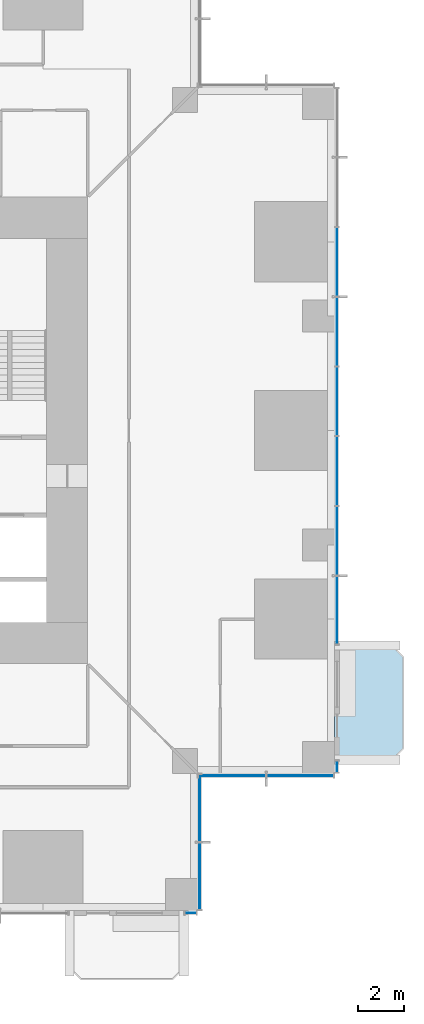
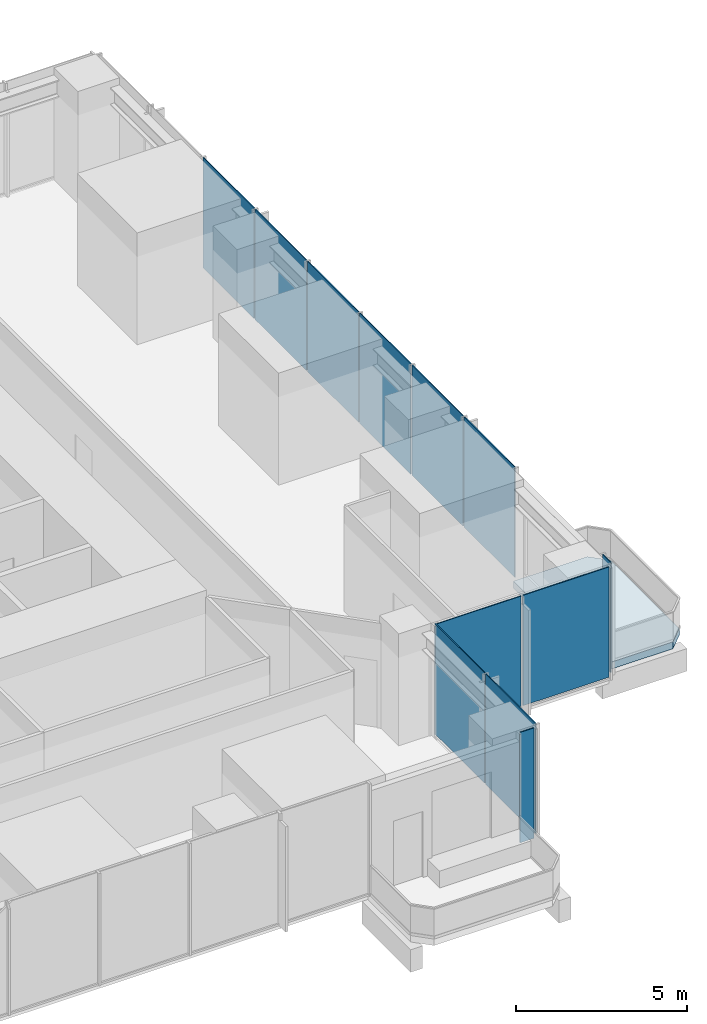
# One storey, part 8 of 15: 12 plates, 1 slab, 5 elements without a shape of their own.
"""IFC4 building model written with IfcOpenShell, lengths in metres."""

import ifcopenshell
import ifcopenshell.guid

model = None  # the IFC model being written
_history = None  # IfcOwnerHistory: only IFC2X3 demands one
_inside = {}  # id of a spatial element -> (the spatial element, [elements in it])
_under = {}  # id of a project, library or spatial element -> (it, [spatial elements below it])
_declared = {}  # id of a project -> (the project, [libraries it declares])
_typed = {}  # id of a type object -> (the type object, [elements of that type])
_made_of = {}  # id of a material, layer set ... -> (it, [elements and type objects made of it])


def new_model(schema):
    """Start an empty IFC model of exactly this schema.

    Asked for "IFC4X3", IfcOpenShell would pick the latest addendum, in which some entities
    have other attributes; the version numbers below select the first issue.
    IFC2X3 requires an IfcOwnerHistory on every rooted entity: one is made here for all.
    """
    global model, _history
    if schema == "IFC4X3":
        model = ifcopenshell.file(schema_version=(4, 3, 0, 0))
    else:
        model = ifcopenshell.file(schema=schema)
    _inside.clear()
    _under.clear()
    _declared.clear()
    _typed.clear()
    _made_of.clear()
    _history = None
    if model.schema == "IFC2X3":
        org = make("IfcOrganization", Name="unknown")
        user = make(
            "IfcPersonAndOrganization",
            ThePerson=make("IfcPerson", FamilyName="unknown"),
            TheOrganization=org,
        )
        app = make(
            "IfcApplication",
            ApplicationDeveloper=org,
            Version="unknown",
            ApplicationFullName="unknown",
            ApplicationIdentifier="unknown",
        )
        _history = make(
            "IfcOwnerHistory",
            OwningUser=user,
            OwningApplication=app,
            ChangeAction="ADDED",
            CreationDate=0,
        )
    return model


def make(cls, **values):
    """One entity of the class cls with the attributes given. An attribute that is None is left unset."""
    return model.create_entity(
        cls, **{name: value for name, value in values.items() if value is not None}
    )


def rooted(cls, **values):
    """An entity with a GlobalId (a new one), such as an element, a storey or a relation."""
    return make(cls, GlobalId=ifcopenshell.guid.new(), OwnerHistory=_history, **values)


def si_unit(unit_type, name, prefix=None):
    """IfcSIUnit, for example si_unit("LENGTHUNIT", "METRE", prefix="MILLI")."""
    return make("IfcSIUnit", UnitType=unit_type, Prefix=prefix, Name=name)


def assignment(units):
    """IfcUnitAssignment: the units of a project."""
    return None if units is None else make("IfcUnitAssignment", Units=units)


def point(xyz):
    """IfcCartesianPoint."""
    return None if xyz is None else make("IfcCartesianPoint", Coordinates=xyz)


def direction(xyz):
    """IfcDirection."""
    return None if xyz is None else make("IfcDirection", DirectionRatios=xyz)


def frame(location, z_axis=None, x_axis=None):
    """IfcAxis2Placement3D, a coordinate frame: its origin and axes. An axis left out is left unset."""
    return make(
        "IfcAxis2Placement3D",
        Location=point(location),
        Axis=direction(z_axis),
        RefDirection=direction(x_axis),
    )


def frame_2d(location, x_axis=None):
    """IfcAxis2Placement2D, a coordinate frame in the plane: its origin and x axis."""
    return make(
        "IfcAxis2Placement2D", Location=point(location), RefDirection=direction(x_axis)
    )


def origin():
    """The frame at (0, 0, 0) with its axes left unset."""
    return frame((0.0, 0.0, 0.0))


def origin_2d():
    """The frame at (0, 0) in the plane with its x axis left unset."""
    return frame_2d((0.0, 0.0))


def place(relative_to, where):
    """IfcLocalPlacement: puts the frame where relative to a parent placement (None: the world)."""
    return make(
        "IfcLocalPlacement", PlacementRelTo=relative_to, RelativePlacement=where
    )


def context(
    kind, dimensions, precision=None, world=None, true_north=None, identifier=None
):
    """IfcGeometricRepresentationContext, for example the 3D "Model" context."""
    return make(
        "IfcGeometricRepresentationContext",
        ContextIdentifier=identifier,
        ContextType=kind,
        CoordinateSpaceDimension=dimensions,
        Precision=precision,
        WorldCoordinateSystem=world,
        TrueNorth=true_north,
    )


def subcontext(parent, identifier, kind, view, scale=None):
    """IfcGeometricRepresentationSubContext, for example "Body" below "Model"."""
    return make(
        "IfcGeometricRepresentationSubContext",
        ContextIdentifier=identifier,
        ContextType=kind,
        ParentContext=parent,
        TargetScale=scale,
        TargetView=view,
    )


def project(units=None, contexts=None):
    """IfcProject with its units and contexts."""
    return rooted(
        "IfcProject",
        Name="project",
        RepresentationContexts=contexts,
        UnitsInContext=assignment(units),
    )


def spatial(cls, under=None, at=None, **own):
    """A site, building, storey or space (cls), placed at a placement, below another one or the project."""
    s = rooted(cls, ObjectPlacement=at, **own)
    if under is not None:
        _under.setdefault(under.id(), (under, []))[1].append(s)
    return s


def polyline(points):
    """IfcPolyline through the points."""
    return make("IfcPolyline", Points=[point(p) for p in points])


def profile(cls, at=None, kind="AREA", **sizes):
    """A parametric profile (cls). Its sizes go by their IFC names, for example OverallWidth=200.0."""
    return make(cls, ProfileType=kind, Position=at, **sizes)


def rectangle(**sizes):
    """IfcRectangleProfileDef."""
    return profile("IfcRectangleProfileDef", **sizes)


def outline(outer, holes=None, kind="AREA"):
    """IfcArbitraryClosedProfileDef: a profile drawn as a closed curve; with holes, ...WithVoids."""
    if holes is None:
        return make("IfcArbitraryClosedProfileDef", ProfileType=kind, OuterCurve=outer)
    return make(
        "IfcArbitraryProfileDefWithVoids",
        ProfileType=kind,
        OuterCurve=outer,
        InnerCurves=holes,
    )


def extrude(swept, where, along, depth):
    """IfcExtrudedAreaSolid: the profile swept, set in the frame where, extruded along a direction by depth."""
    return make(
        "IfcExtrudedAreaSolid",
        SweptArea=swept,
        Position=where,
        ExtrudedDirection=direction(along),
        Depth=depth,
    )


def shape(context_of_items, identifier, shape_type, items):
    """IfcShapeRepresentation: the items that make up one representation, for example the "Body"."""
    return make(
        "IfcShapeRepresentation",
        ContextOfItems=context_of_items,
        RepresentationIdentifier=identifier,
        RepresentationType=shape_type,
        Items=items,
    )


def material(Name=None, Category=None):
    """IfcMaterial."""
    return make("IfcMaterial", Name=Name, Category=Category)


def layer(
    of_material, thickness, ventilated=None, Name=None, Category=None, Priority=None
):
    """IfcMaterialLayer: one layer of a wall or slab, of a material (None: an air gap)."""
    return make(
        "IfcMaterialLayer",
        Material=of_material,
        LayerThickness=thickness,
        IsVentilated=ventilated,
        Name=Name,
        Category=Category,
        Priority=Priority,
    )


def layer_set(layers, Name=None):
    """IfcMaterialLayerSet."""
    return make("IfcMaterialLayerSet", MaterialLayers=layers, LayerSetName=Name)


def made_of(thing, what):
    """Note that an element or type object is made of a material, layer set ...; save() writes the relation."""
    if what is not None:
        _made_of.setdefault(what.id(), (what, []))[1].append(thing)
    return thing


def type_object(cls, material=None, **own):
    """A type object (cls), such as IfcWallType, which elements share."""
    return made_of(rooted(cls, **own), material)


def element(
    cls,
    number,
    at=None,
    inside=None,
    cuts=None,
    type_object=None,
    material=None,
    context=None,
    identifier="Body",
    shape_type=None,
    held_by="IfcProductDefinitionShape",
    body=None,
    shapes=None,
    **own,
):
    """One element of the class cls, such as IfcWall. Its Tag is "e" and its number.

    at: its placement. inside: the storey or other place that contains it. cuts: it is an
    opening in that element (IfcRelVoidsElement). A single representation is given by context,
    identifier, shape_type and body (its items); several are given by shapes. held_by: the class
    of the entity that holds the representations. save() writes the other relations.
    """
    e = rooted(cls, Tag="e%d" % number, ObjectPlacement=at, **own)
    if body is not None:
        shapes = [shape(context, identifier, shape_type, body)]
    if shapes is not None:
        e.Representation = make(held_by, Representations=shapes)
    if inside is not None:
        _inside.setdefault(inside.id(), (inside, []))[1].append(e)
    if cuts is not None:
        rooted(
            "IfcRelVoidsElement", RelatingBuildingElement=cuts, RelatedOpeningElement=e
        )
    if type_object is not None:
        _typed.setdefault(type_object.id(), (type_object, []))[1].append(e)
    return made_of(e, material)


def aggregate(whole, parts):
    """IfcRelAggregates: a whole, such as a stair, and the parts it consists of."""
    return rooted("IfcRelAggregates", RelatingObject=whole, RelatedObjects=parts)


def save(model, path):
    """Write the relations noted so far, then the file.

    IfcRelAggregates (storeys below a building ...), IfcRelContainedInSpatialStructure (elements
    in a storey), IfcRelDefinesByType, IfcRelAssociatesMaterial and IfcRelDeclares: one each for
    every whole, place, type object, material and project.
    """
    for whole, parts in _under.values():
        aggregate(whole, parts)
    for where, things in _inside.values():
        rooted(
            "IfcRelContainedInSpatialStructure",
            RelatedElements=things,
            RelatingStructure=where,
        )
    for kind, things in _typed.values():
        rooted("IfcRelDefinesByType", RelatedObjects=things, RelatingType=kind)
    for what, things in _made_of.values():
        rooted("IfcRelAssociatesMaterial", RelatedObjects=things, RelatingMaterial=what)
    for by, libraries in _declared.values():
        rooted("IfcRelDeclares", RelatingContext=by, RelatedDefinitions=libraries)
    model.write(path)


model = new_model("IFC4")

# Units and contexts
model_context = context("Model", 3, precision=1e-05, world=origin(), true_north=direction((0.0, 1.0)))
body_context = subcontext(model_context, "Body", "Model", "MODEL_VIEW")
ifc_project = project(units=[si_unit("LENGTHUNIT", "METRE"), si_unit("AREAUNIT", "SQUARE_METRE"), si_unit("VOLUMEUNIT", "CUBIC_METRE"), si_unit("PLANEANGLEUNIT", "RADIAN"), si_unit("MASSUNIT", "GRAM", prefix="KILO")], contexts=[model_context])

# Site, building, storey
site_placement = place(None, origin())
site = spatial("IfcSite", under=ifc_project, at=site_placement, CompositionType="ELEMENT")
building_placement = place(site_placement, origin())
building = spatial("IfcBuilding", under=site, at=building_placement, Name="Svetlomir Tower", CompositionType="ELEMENT")
storey_placement = place(building_placement, frame((0.0, 0.0, 34.5)))
storey = spatial("IfcBuildingStorey", under=building, at=storey_placement, Name="L07", CompositionType="ELEMENT", Elevation=34.5)

# Slab
ifc_material_1 = material(Name="Concrete C60/75", Category="concrete")
ifc_layer_1 = layer(ifc_material_1, 0.25)
ifc_layer_set_1 = layer_set([ifc_layer_1], Name="Concrete C60/75")
slab_type = type_object("IfcSlabType", Name="BALCONY SLAB 250", PredefinedType="FLOOR", material=ifc_layer_set_1)
slab_placement = place(storey_placement, frame((0.0, 0.0, -0.25)))
element("IfcSlab", 1, at=slab_placement, inside=storey, type_object=slab_type, Name="L07 E planted balcony", PredefinedType="FLOOR", context=body_context, shape_type="SweptSolid", body=[
    extrude(outline(polyline([(42.0, 6.60009765625), (44.5, 6.60009765625), (45.0, 7.10009765625), (45.0, 11.10009765625), (44.5, 11.60009765625), (42.0, 11.60009765625), (42.0, 6.60009765625)])), origin(), (0.0, 0.0, 1.0), 0.25),
])

# Curtain wall, plate
ifc_material_2 = material(Name="Bronze anodised aluminium curtain wall", Category="aluminium")
curtain_wall_type = type_object("IfcCurtainWallType", Name="CURTAIN WALL CW1 TOWER OFFICE", PredefinedType="NOTDEFINED", material=ifc_material_2)
curtain_wall_1_placement = place(storey_placement, origin())
curtain_wall_1 = element("IfcCurtainWall", 2, at=curtain_wall_1_placement, inside=storey, type_object=curtain_wall_type, Name="Curtain wall CW1 L07", PredefinedType="NOTDEFINED")
ifc_material_3 = material(Name="Tinted double glazed unit", Category="glass")
ifc_layer_2 = layer(ifc_material_3, 0.031982421875)
ifc_layer_set_2 = layer_set([ifc_layer_2], Name="Tinted double glazed unit")
plate_type = type_object("IfcPlateType", Name="CW1 GLAZED PANEL 32", PredefinedType="CURTAIN_PANEL", material=ifc_layer_set_2)
plate_1_placement = place(storey_placement, frame((35.699951171875, -0.10009765625, 0.06494140625), z_axis=(0.0, 0.0, 1.0), x_axis=(1.0, 0.0, 0.0)))
plate_1 = element("IfcPlate", 3, at=plate_1_placement, type_object=plate_type, Name="CW1 panel 1.1", PredefinedType="CURTAIN_PANEL", context=body_context, shape_type="SweptSolid", body=[
    extrude(rectangle(XDim=0.469970703125, YDim=0.031982421875, at=origin_2d()), origin(), (0.0, 0.0, 1.0), 3.93505859375),
])
aggregate(curtain_wall_1, [plate_1])

# Curtain wall, plates
curtain_wall_2_placement = place(storey_placement, origin())
curtain_wall_2 = element("IfcCurtainWall", 4, at=curtain_wall_2_placement, inside=storey, type_object=curtain_wall_type, Name="Curtain wall CW1 L07", PredefinedType="NOTDEFINED")
plate_2_placement = place(storey_placement, frame((36.10009765625, 1.516357421875, 0.06494140625), z_axis=(0.0, 0.0, 1.0), x_axis=(0.0, 1.0, 0.0)))
plate_2 = element("IfcPlate", 5, at=plate_2_placement, type_object=plate_type, Name="CW1 panel 1.1", PredefinedType="CURTAIN_PANEL", context=body_context, shape_type="SweptSolid", body=[
    extrude(rectangle(XDim=2.902587890625, YDim=0.031982421875, at=origin_2d()), origin(), (0.0, 0.0, 1.0), 3.93505859375),
])
plate_3_placement = place(storey_placement, frame((36.10009765625, 4.483642578125, 0.06494140625), z_axis=(0.0, 0.0, 1.0), x_axis=(0.0, 1.0, 0.0)))
plate_3 = element("IfcPlate", 6, at=plate_3_placement, type_object=plate_type, Name="CW1 panel 2.1", PredefinedType="CURTAIN_PANEL", context=body_context, shape_type="SweptSolid", body=[
    extrude(rectangle(XDim=2.902587890625, YDim=0.031982421875, at=origin_2d()), origin(), (0.0, 0.0, 1.0), 3.93505859375),
])
aggregate(curtain_wall_2, [plate_2, plate_3])

curtain_wall_3_placement = place(storey_placement, origin())
curtain_wall_3 = element("IfcCurtainWall", 7, at=curtain_wall_3_placement, inside=storey, type_object=curtain_wall_type, Name="Curtain wall CW1 L07", PredefinedType="NOTDEFINED")
plate_4_placement = place(storey_placement, frame((37.516357421875, 5.89990234375, 0.06494140625), z_axis=(0.0, 0.0, 1.0), x_axis=(1.0, 0.0, 0.0)))
plate_4 = element("IfcPlate", 8, at=plate_4_placement, type_object=plate_type, Name="CW1 panel 1.1", PredefinedType="CURTAIN_PANEL", context=body_context, shape_type="SweptSolid", body=[
    extrude(rectangle(XDim=2.902587890625, YDim=0.031982421875, at=origin_2d()), origin(), (0.0, 0.0, 1.0), 3.93505859375),
])
plate_5_placement = place(storey_placement, frame((40.483642578125, 5.89990234375, 0.06494140625), z_axis=(0.0, 0.0, 1.0), x_axis=(1.0, 0.0, 0.0)))
plate_5 = element("IfcPlate", 9, at=plate_5_placement, type_object=plate_type, Name="CW1 panel 2.1", PredefinedType="CURTAIN_PANEL", context=body_context, shape_type="SweptSolid", body=[
    extrude(rectangle(XDim=2.902587890625, YDim=0.031982421875, at=origin_2d()), origin(), (0.0, 0.0, 1.0), 3.93505859375),
])
aggregate(curtain_wall_3, [plate_4, plate_5])

# Curtain wall, plate
curtain_wall_4_placement = place(storey_placement, origin())
curtain_wall_4 = element("IfcCurtainWall", 10, at=curtain_wall_4_placement, inside=storey, type_object=curtain_wall_type, Name="Curtain wall CW1 L07", PredefinedType="NOTDEFINED")
plate_6_placement = place(storey_placement, frame((42.10009765625, 6.300048828125, 0.06494140625), z_axis=(0.0, 0.0, 1.0), x_axis=(0.0, 1.0, 0.0)))
plate_6 = element("IfcPlate", 11, at=plate_6_placement, type_object=plate_type, Name="CW1 panel 1.1", PredefinedType="CURTAIN_PANEL", context=body_context, shape_type="SweptSolid", body=[
    extrude(rectangle(XDim=0.469970703125, YDim=0.031982421875, at=origin_2d()), origin(), (0.0, 0.0, 1.0), 3.93505859375),
])
aggregate(curtain_wall_4, [plate_6])

# Curtain wall, plates
curtain_wall_5_placement = place(storey_placement, origin())
curtain_wall_5 = element("IfcCurtainWall", 12, at=curtain_wall_5_placement, inside=storey, type_object=curtain_wall_type, Name="Curtain wall CW1 L07", PredefinedType="NOTDEFINED")
plate_7_placement = place(storey_placement, frame((42.10009765625, 13.141357421875, 0.06494140625), z_axis=(0.0, 0.0, 1.0), x_axis=(0.0, 1.0, 0.0)))
plate_7 = element("IfcPlate", 13, at=plate_7_placement, type_object=plate_type, Name="CW1 panel 1.1", PredefinedType="CURTAIN_PANEL", context=body_context, shape_type="SweptSolid", body=[
    extrude(rectangle(XDim=2.952392578125, YDim=0.031982421875, at=origin_2d()), origin(), (0.0, 0.0, 1.0), 3.93505859375),
])
plate_8_placement = place(storey_placement, frame((42.10009765625, 16.175048828125, 0.06494140625), z_axis=(0.0, 0.0, 1.0), x_axis=(0.0, 1.0, 0.0)))
plate_8 = element("IfcPlate", 14, at=plate_8_placement, type_object=plate_type, Name="CW1 panel 2.1", PredefinedType="CURTAIN_PANEL", context=body_context, shape_type="SweptSolid", body=[
    extrude(rectangle(XDim=2.985107421875, YDim=0.031982421875, at=origin_2d()), origin(), (0.0, 0.0, 1.0), 3.93505859375),
])
plate_9_placement = place(storey_placement, frame((42.10009765625, 19.22509765625, 0.06494140625), z_axis=(0.0, 0.0, 1.0), x_axis=(0.0, 1.0, 0.0)))
plate_9 = element("IfcPlate", 15, at=plate_9_placement, type_object=plate_type, Name="CW1 panel 3.1", PredefinedType="CURTAIN_PANEL", context=body_context, shape_type="SweptSolid", body=[
    extrude(rectangle(XDim=2.985107421875, YDim=0.031982421875, at=origin_2d()), origin(), (0.0, 0.0, 1.0), 3.93505859375),
])
plate_10_placement = place(storey_placement, frame((42.10009765625, 22.27490234375, 0.06494140625), z_axis=(0.0, 0.0, 1.0), x_axis=(0.0, 1.0, 0.0)))
plate_10 = element("IfcPlate", 16, at=plate_10_placement, type_object=plate_type, Name="CW1 panel 4.1", PredefinedType="CURTAIN_PANEL", context=body_context, shape_type="SweptSolid", body=[
    extrude(rectangle(XDim=2.985107421875, YDim=0.031982421875, at=origin_2d()), origin(), (0.0, 0.0, 1.0), 3.93505859375),
])
plate_11_placement = place(storey_placement, frame((42.10009765625, 25.324951171875, 0.06494140625), z_axis=(0.0, 0.0, 1.0), x_axis=(0.0, 1.0, 0.0)))
plate_11 = element("IfcPlate", 17, at=plate_11_placement, type_object=plate_type, Name="CW1 panel 5.1", PredefinedType="CURTAIN_PANEL", context=body_context, shape_type="SweptSolid", body=[
    extrude(rectangle(XDim=2.985107421875, YDim=0.031982421875, at=origin_2d()), origin(), (0.0, 0.0, 1.0), 3.93505859375),
])
plate_12_placement = place(storey_placement, frame((42.10009765625, 28.375, 0.06494140625), z_axis=(0.0, 0.0, 1.0), x_axis=(0.0, 1.0, 0.0)))
plate_12 = element("IfcPlate", 18, at=plate_12_placement, type_object=plate_type, Name="CW1 panel 6.1", PredefinedType="CURTAIN_PANEL", context=body_context, shape_type="SweptSolid", body=[
    extrude(rectangle(XDim=2.985107421875, YDim=0.031982421875, at=origin_2d()), origin(), (0.0, 0.0, 1.0), 3.93505859375),
])
aggregate(curtain_wall_5, [plate_7, plate_8, plate_9, plate_10, plate_11, plate_12])

save(model, "model.ifc")
